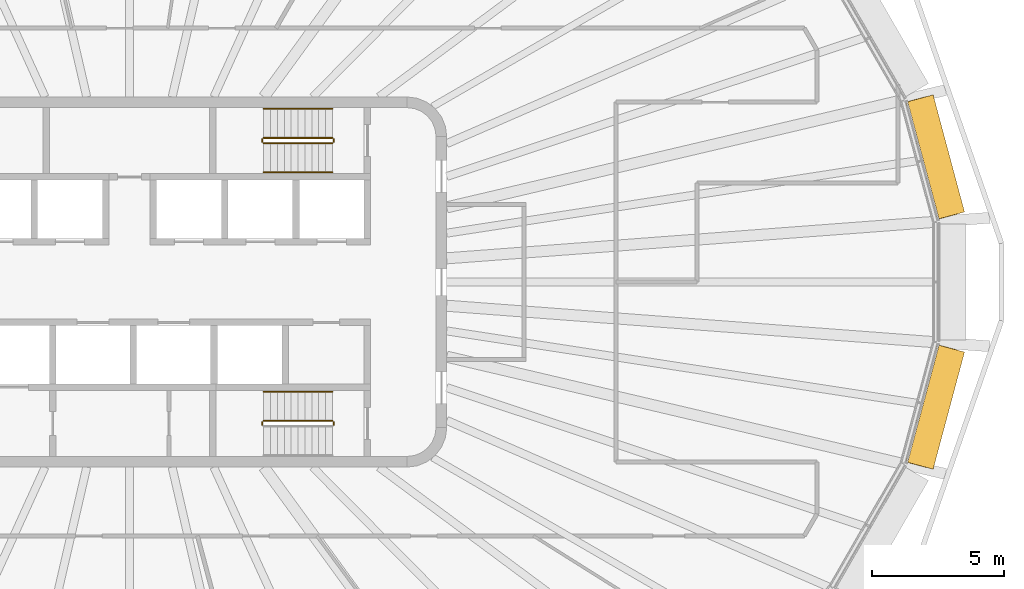
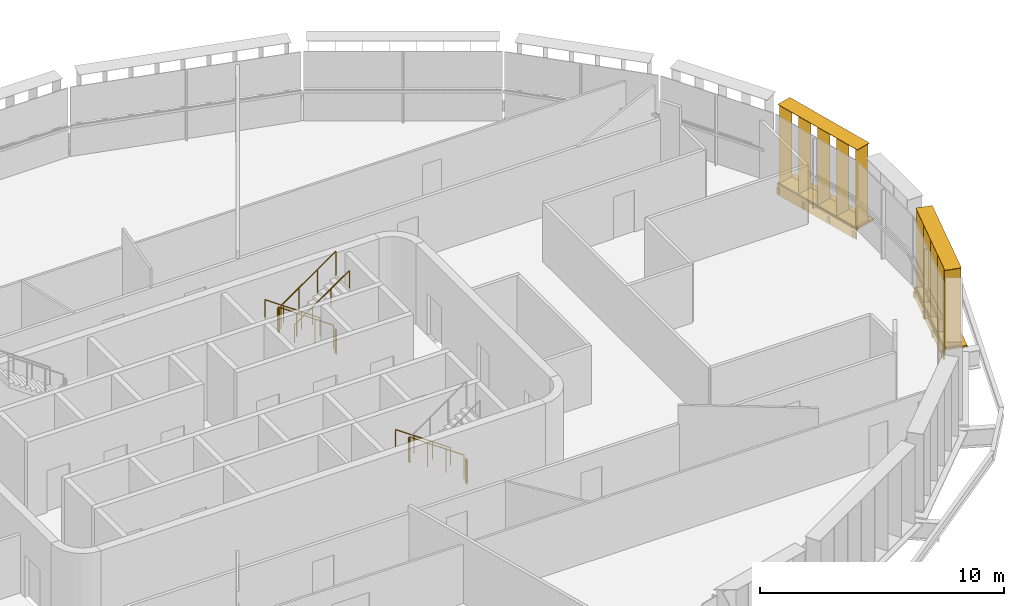
# One storey, part 18 of 20: 10 railings, 4 shading devices.
"""IFC4 building model written with IfcOpenShell, lengths in metres."""

from ifc_helpers import new_model, si_unit, direction, frame, origin, origin_2d, place, context, subcontext, project, spatial, rectangle, circle, extrude, material, type_object, element, save


model = new_model("IFC4")

# Units and contexts
model_context = context("Model", 3, precision=1e-05, world=origin(), true_north=direction((0.0, 1.0)))
body_context = subcontext(model_context, "Body", "Model", "MODEL_VIEW")
ifc_project = project(units=[si_unit("LENGTHUNIT", "METRE"), si_unit("AREAUNIT", "SQUARE_METRE"), si_unit("VOLUMEUNIT", "CUBIC_METRE"), si_unit("PLANEANGLEUNIT", "RADIAN"), si_unit("MASSUNIT", "GRAM", prefix="KILO")], contexts=[model_context])

# Site, building, storey
site_placement = place(None, origin())
site = spatial("IfcSite", under=ifc_project, at=site_placement, CompositionType="ELEMENT")
building_placement = place(site_placement, origin())
building = spatial("IfcBuilding", under=site, at=building_placement, Name="Sahrelin Media Tower", CompositionType="ELEMENT")
storey_placement = place(building_placement, frame((0.0, 0.0, 213.60009765625)))
storey = spatial("IfcBuildingStorey", under=building, at=storey_placement, Name="L45", CompositionType="ELEMENT", Elevation=213.60009765625)

# Shading devices
ifc_material_1 = material(Name="Champagne anodised aluminium 6063-T6", Category="aluminium")
shading_device_type_1 = type_object("IfcShadingDeviceType", Name="Fin cassette", PredefinedType="USERDEFINED", material=ifc_material_1)
placement_1 = place(storey_placement, frame((30.00244140625, 4.599365234375, 0.0), z_axis=(0.0, 0.0, 1.0), x_axis=(0.258807731996, -0.965928857556, 0.0)))
element("IfcShadingDevice", 1, at=placement_1, inside=storey, type_object=shading_device_type_1, Name="L45:FIN:L45-01", ObjectType="FIN", PredefinedType="USERDEFINED", context=body_context, shape_type="SweptSolid", body=[
    extrude(rectangle(XDim=4.60009765625, YDim=0.699951171875, at=origin_2d()), frame((0.0, 0.419921875, 0.0)), (0.0, 0.0, 1.0), 0.02001953125),
    extrude(rectangle(XDim=4.60009765625, YDim=0.699951171875, at=origin_2d()), frame((0.0, 0.419921875, 3.89990234375)), (0.0, 0.0, 1.0), 0.02001953125),
    extrude(rectangle(XDim=0.02001953125, YDim=0.699951171875, at=origin_2d()), frame((-2.199951171875, 0.419921875, 0.010009765625), z_axis=(0.0, 0.0, 1.0), x_axis=(1.0, 0.0, 0.0)), (0.0, 0.0, 1.0), 3.89990234375),
    extrude(rectangle(XDim=0.02001953125, YDim=0.699951171875, at=origin_2d()), frame((-1.10009765625, 0.419921875, 0.010009765625), z_axis=(0.0, 0.0, 1.0), x_axis=(1.0, 0.0, 0.0)), (0.0, 0.0, 1.0), 3.89990234375),
    extrude(rectangle(XDim=0.02001953125, YDim=0.699951171875, at=origin_2d()), frame((0.0, 0.419921875, 0.010009765625), z_axis=(0.0, 0.0, 1.0), x_axis=(1.0, 0.0, 0.0)), (0.0, 0.0, 1.0), 3.89990234375),
    extrude(rectangle(XDim=0.02001953125, YDim=0.699951171875, at=origin_2d()), frame((1.10009765625, 0.419921875, 0.010009765625), z_axis=(0.0, 0.0, 1.0), x_axis=(1.0, 0.0, 0.0)), (0.0, 0.0, 1.0), 3.89990234375),
    extrude(rectangle(XDim=0.02001953125, YDim=0.699951171875, at=origin_2d()), frame((2.199951171875, 0.419921875, 0.010009765625), z_axis=(0.0, 0.0, 1.0), x_axis=(1.0, 0.0, 0.0)), (0.0, 0.0, 1.0), 3.89990234375),
])
placement_2 = place(storey_placement, frame((30.00244140625, -4.59912109375, 0.0), z_axis=(0.0, 0.0, 1.0), x_axis=(-0.258807731996, -0.965928857556, 0.0)))
element("IfcShadingDevice", 2, at=placement_2, inside=storey, type_object=shading_device_type_1, Name="L45:FIN:L45-23", ObjectType="FIN", PredefinedType="USERDEFINED", context=body_context, shape_type="SweptSolid", body=[
    extrude(rectangle(XDim=4.60009765625, YDim=0.699951171875, at=origin_2d()), frame((0.0, 0.419921875, 0.0)), (0.0, 0.0, 1.0), 0.02001953125),
    extrude(rectangle(XDim=4.60009765625, YDim=0.699951171875, at=origin_2d()), frame((0.0, 0.419921875, 3.89990234375)), (0.0, 0.0, 1.0), 0.02001953125),
    extrude(rectangle(XDim=0.02001953125, YDim=0.699951171875, at=origin_2d()), frame((-2.199951171875, 0.419921875, 0.010009765625), z_axis=(0.0, 0.0, 1.0), x_axis=(1.0, 0.0, 0.0)), (0.0, 0.0, 1.0), 3.89990234375),
    extrude(rectangle(XDim=0.02001953125, YDim=0.699951171875, at=origin_2d()), frame((-1.10009765625, 0.419921875, 0.010009765625), z_axis=(0.0, 0.0, 1.0), x_axis=(1.0, 0.0, 0.0)), (0.0, 0.0, 1.0), 3.89990234375),
    extrude(rectangle(XDim=0.02001953125, YDim=0.699951171875, at=origin_2d()), frame((0.0, 0.419921875, 0.010009765625), z_axis=(0.0, 0.0, 1.0), x_axis=(1.0, 0.0, 0.0)), (0.0, 0.0, 1.0), 3.89990234375),
    extrude(rectangle(XDim=0.02001953125, YDim=0.699951171875, at=origin_2d()), frame((1.10009765625, 0.419921875, 0.010009765625), z_axis=(0.0, 0.0, 1.0), x_axis=(1.0, 0.0, 0.0)), (0.0, 0.0, 1.0), 3.89990234375),
    extrude(rectangle(XDim=0.02001953125, YDim=0.699951171875, at=origin_2d()), frame((2.199951171875, 0.419921875, 0.010009765625), z_axis=(0.0, 0.0, 1.0), x_axis=(1.0, 0.0, 0.0)), (0.0, 0.0, 1.0), 3.89990234375),
])

# Railings
ifc_material_2 = material(Name="Steel S355", Category="steel")
railing_type_1 = type_object("IfcRailingType", Name="Stair guard 1200", PredefinedType="GUARDRAIL", material=ifc_material_2)
railing_1_placement = place(storey_placement, frame((7.675048828125, 5.449951171875, 0.181640625)))
element("IfcRailing", 3, at=railing_1_placement, inside=storey, type_object=railing_type_1, Name="L45 ST3 stair guard 1", PredefinedType="GUARDRAIL", context=body_context, shape_type="SweptSolid", body=[
    extrude(circle(Radius=0.02392578125, at=origin_2d()), frame((0.0, 0.0, 1.17578125), z_axis=(-0.819484887739, 0.0, 0.573100792852), x_axis=(0.0, -1.0, 0.0)), (0.0, 0.0, 1.0), 3.1728515625),
    extrude(circle(Radius=0.02099609375, at=origin_2d()), origin(), (0.0, 0.0, 1.0), 1.15185546875),
    extrude(circle(Radius=0.02099609375, at=origin_2d()), frame((-0.86669921875, 0.0, 0.606201171875)), (0.0, 0.0, 1.0), 1.15185546875),
    extrude(circle(Radius=0.02099609375, at=origin_2d()), frame((-1.7333984375, 0.0, 1.212158203125)), (0.0, 0.0, 1.0), 1.15185546875),
    extrude(circle(Radius=0.02099609375, at=origin_2d()), frame((-2.60009765625, 0.0, 1.818359375)), (0.0, 0.0, 1.0), 1.15185546875),
])
railing_2_placement = place(storey_placement, frame((5.02490234375, 5.39990234375, 2.0)))
element("IfcRailing", 4, at=railing_2_placement, inside=storey, type_object=railing_type_1, Name="L45 ST3 stair guard 2", PredefinedType="GUARDRAIL", context=body_context, shape_type="SweptSolid", body=[
    extrude(circle(Radius=0.02392578125, at=origin_2d()), frame((0.0, 0.0, 1.17578125), z_axis=(0.0, -1.0, 0.0), x_axis=(1.0, 0.0, 0.0)), (0.0, 0.0, 1.0), 0.099853515625),
    extrude(circle(Radius=0.02099609375, at=origin_2d()), origin(), (0.0, 0.0, 1.0), 1.15185546875),
    extrude(circle(Radius=0.02099609375, at=origin_2d()), frame((0.0, -0.099853515625, 0.0)), (0.0, 0.0, 1.0), 1.15185546875),
])
railing_3_placement = place(storey_placement, frame((5.074951171875, 5.25, 2.181640625)))
element("IfcRailing", 5, at=railing_3_placement, inside=storey, type_object=railing_type_1, Name="L45 ST3 stair guard 3", PredefinedType="GUARDRAIL", context=body_context, shape_type="SweptSolid", body=[
    extrude(circle(Radius=0.02392578125, at=origin_2d()), frame((0.0, 0.0, 1.17578125), z_axis=(0.819484887739, 0.0, 0.573100792852), x_axis=(0.0, 1.0, 0.0)), (0.0, 0.0, 1.0), 3.1728515625),
    extrude(circle(Radius=0.02099609375, at=origin_2d()), origin(), (0.0, 0.0, 1.0), 1.15185546875),
    extrude(circle(Radius=0.02099609375, at=origin_2d()), frame((0.86669921875, 0.0, 0.606201171875)), (0.0, 0.0, 1.0), 1.15185546875),
    extrude(circle(Radius=0.02099609375, at=origin_2d()), frame((1.7333984375, 0.0, 1.212158203125)), (0.0, 0.0, 1.0), 1.15185546875),
    extrude(circle(Radius=0.02099609375, at=origin_2d()), frame((2.60009765625, 0.0, 1.818359375)), (0.0, 0.0, 1.0), 1.15185546875),
])
railing_4_placement = place(storey_placement, frame((7.72509765625, 5.39990234375, 0.0)))
element("IfcRailing", 6, at=railing_4_placement, inside=storey, type_object=railing_type_1, Name="L45 ST3 stair guard 4", PredefinedType="GUARDRAIL", context=body_context, shape_type="SweptSolid", body=[
    extrude(circle(Radius=0.02392578125, at=origin_2d()), frame((0.0, 0.0, 1.17578125), z_axis=(0.0, -1.0, 0.0), x_axis=(1.0, 0.0, 0.0)), (0.0, 0.0, 1.0), 0.099853515625),
    extrude(circle(Radius=0.02099609375, at=origin_2d()), origin(), (0.0, 0.0, 1.0), 1.15185546875),
    extrude(circle(Radius=0.02099609375, at=origin_2d()), frame((0.0, -0.099853515625, 0.0)), (0.0, 0.0, 1.0), 1.15185546875),
])
railing_5_placement = place(storey_placement, frame((7.675048828125, -5.25, 0.181640625)))
element("IfcRailing", 7, at=railing_5_placement, inside=storey, type_object=railing_type_1, Name="L45 ST2 stair guard 1", PredefinedType="GUARDRAIL", context=body_context, shape_type="SweptSolid", body=[
    extrude(circle(Radius=0.02392578125, at=origin_2d()), frame((0.0, 0.0, 1.17578125), z_axis=(-0.819484887739, 0.0, 0.573100792852), x_axis=(0.0, -1.0, 0.0)), (0.0, 0.0, 1.0), 3.1728515625),
    extrude(circle(Radius=0.02099609375, at=origin_2d()), origin(), (0.0, 0.0, 1.0), 1.15185546875),
    extrude(circle(Radius=0.02099609375, at=origin_2d()), frame((-0.86669921875, 0.0, 0.606201171875)), (0.0, 0.0, 1.0), 1.15185546875),
    extrude(circle(Radius=0.02099609375, at=origin_2d()), frame((-1.7333984375, 0.0, 1.212158203125)), (0.0, 0.0, 1.0), 1.15185546875),
    extrude(circle(Radius=0.02099609375, at=origin_2d()), frame((-2.60009765625, 0.0, 1.818359375)), (0.0, 0.0, 1.0), 1.15185546875),
])
for number, where, name in (
    (8, (5.02490234375, -5.300048828125, 2.0), "L45 ST2 stair guard 2"),
    (9, (7.72509765625, -5.300048828125, 0.0), "L45 ST2 stair guard 4"),
):
    element("IfcRailing", number, at=place(storey_placement, frame(where)), inside=storey, type_object=railing_type_1, Name=name, PredefinedType="GUARDRAIL", context=body_context, shape_type="SweptSolid", body=[
        extrude(circle(Radius=0.02392578125, at=origin_2d()), frame((0.0, 0.0, 1.17578125), z_axis=(0.0, -1.0, 0.0), x_axis=(1.0, 0.0, 0.0)), (0.0, 0.0, 1.0), 0.099853515625),
        extrude(circle(Radius=0.02099609375, at=origin_2d()), origin(), (0.0, 0.0, 1.0), 1.15185546875),
        extrude(circle(Radius=0.02099609375, at=origin_2d()), frame((0.0, -0.099853515625, 0.0)), (0.0, 0.0, 1.0), 1.15185546875),
    ])
railing_type_2 = type_object("IfcRailingType", Name="Stair handrail 900", PredefinedType="HANDRAIL", material=ifc_material_2)
railing_6_placement = place(storey_placement, frame((7.675048828125, 6.550048828125, 0.181640625)))
element("IfcRailing", 10, at=railing_6_placement, inside=storey, type_object=railing_type_2, Name="L45 ST3 stair handrail 1", PredefinedType="HANDRAIL", context=body_context, shape_type="SweptSolid", body=[
    extrude(circle(Radius=0.02392578125, at=origin_2d()), frame((0.0, 0.0, 0.8759765625), z_axis=(-0.819484887739, 0.0, 0.573100792852), x_axis=(0.0, -1.0, 0.0)), (0.0, 0.0, 1.0), 3.1728515625),
    extrude(circle(Radius=0.02099609375, at=origin_2d()), origin(), (0.0, 0.0, 1.0), 0.851806640625),
    extrude(circle(Radius=0.02099609375, at=origin_2d()), frame((-0.86669921875, 0.0, 0.606201171875)), (0.0, 0.0, 1.0), 0.851806640625),
    extrude(circle(Radius=0.02099609375, at=origin_2d()), frame((-1.7333984375, 0.0, 1.212158203125)), (0.0, 0.0, 1.0), 0.851806640625),
    extrude(circle(Radius=0.02099609375, at=origin_2d()), frame((-2.60009765625, 0.0, 1.818359375)), (0.0, 0.0, 1.0), 0.851806640625),
])
railing_7_placement = place(storey_placement, frame((5.074951171875, 4.14990234375, 2.181640625)))
element("IfcRailing", 11, at=railing_7_placement, inside=storey, type_object=railing_type_2, Name="L45 ST3 stair handrail 2", PredefinedType="HANDRAIL", context=body_context, shape_type="SweptSolid", body=[
    extrude(circle(Radius=0.02392578125, at=origin_2d()), frame((0.0, 0.0, 0.8759765625), z_axis=(0.819484887739, 0.0, 0.573100792852), x_axis=(0.0, 1.0, 0.0)), (0.0, 0.0, 1.0), 3.1728515625),
    extrude(circle(Radius=0.02099609375, at=origin_2d()), origin(), (0.0, 0.0, 1.0), 0.851806640625),
    extrude(circle(Radius=0.02099609375, at=origin_2d()), frame((0.86669921875, 0.0, 0.606201171875)), (0.0, 0.0, 1.0), 0.851806640625),
    extrude(circle(Radius=0.02099609375, at=origin_2d()), frame((1.7333984375, 0.0, 1.212158203125)), (0.0, 0.0, 1.0), 0.851806640625),
    extrude(circle(Radius=0.02099609375, at=origin_2d()), frame((2.60009765625, 0.0, 1.818359375)), (0.0, 0.0, 1.0), 0.851806640625),
])
railing_8_placement = place(storey_placement, frame((7.675048828125, -4.14990234375, 0.181640625)))
element("IfcRailing", 12, at=railing_8_placement, inside=storey, type_object=railing_type_2, Name="L45 ST2 stair handrail 1", PredefinedType="HANDRAIL", context=body_context, shape_type="SweptSolid", body=[
    extrude(circle(Radius=0.02392578125, at=origin_2d()), frame((0.0, 0.0, 0.8759765625), z_axis=(-0.819484887739, 0.0, 0.573100792852), x_axis=(0.0, -1.0, 0.0)), (0.0, 0.0, 1.0), 3.1728515625),
    extrude(circle(Radius=0.02099609375, at=origin_2d()), origin(), (0.0, 0.0, 1.0), 0.851806640625),
    extrude(circle(Radius=0.02099609375, at=origin_2d()), frame((-0.86669921875, 0.0, 0.606201171875)), (0.0, 0.0, 1.0), 0.851806640625),
    extrude(circle(Radius=0.02099609375, at=origin_2d()), frame((-1.7333984375, 0.0, 1.212158203125)), (0.0, 0.0, 1.0), 0.851806640625),
    extrude(circle(Radius=0.02099609375, at=origin_2d()), frame((-2.60009765625, 0.0, 1.818359375)), (0.0, 0.0, 1.0), 0.851806640625),
])

# Shading devices
shading_device_type_2 = type_object("IfcShadingDeviceType", Name="Sunshade band", PredefinedType="USERDEFINED", material=ifc_material_1)
element("IfcShadingDevice", 13, at=placement_1, inside=storey, type_object=shading_device_type_2, Name="L45:SUN:L45-01", ObjectType="SUNSHADE", PredefinedType="USERDEFINED", context=body_context, shape_type="SweptSolid", body=[
    extrude(rectangle(XDim=4.585693359375, YDim=0.050048828125, at=origin_2d()), frame((0.0, 0.044921875, -0.55126953125)), (0.0, 0.0, 1.0), 0.471435546875),
    extrude(rectangle(XDim=4.585693359375, YDim=1.0, at=origin_2d()), frame((0.0, 0.52001953125, -0.080078125)), (0.0, 0.0, 1.0), 0.080078125),
    extrude(rectangle(XDim=0.10009765625, YDim=0.074951171875, at=origin_2d()), frame((-2.19287109375, -0.017578125, -0.47021484375)), (0.0, 0.0, 1.0), 0.300048828125),
    extrude(rectangle(XDim=0.10009765625, YDim=0.074951171875, at=origin_2d()), frame((-0.73095703125, -0.017578125, -0.47021484375)), (0.0, 0.0, 1.0), 0.300048828125),
    extrude(rectangle(XDim=0.10009765625, YDim=0.074951171875, at=origin_2d()), frame((0.73095703125, -0.017578125, -0.47021484375)), (0.0, 0.0, 1.0), 0.300048828125),
    extrude(rectangle(XDim=0.10009765625, YDim=0.074951171875, at=origin_2d()), frame((2.19287109375, -0.017578125, -0.47021484375)), (0.0, 0.0, 1.0), 0.300048828125),
])
element("IfcShadingDevice", 14, at=placement_2, inside=storey, type_object=shading_device_type_2, Name="L45:SUN:L45-23", ObjectType="SUNSHADE", PredefinedType="USERDEFINED", context=body_context, shape_type="SweptSolid", body=[
    extrude(rectangle(XDim=4.585693359375, YDim=0.050048828125, at=origin_2d()), frame((0.0, 0.044921875, -0.55126953125)), (0.0, 0.0, 1.0), 0.471435546875),
    extrude(rectangle(XDim=4.585693359375, YDim=1.0, at=origin_2d()), frame((0.0, 0.52001953125, -0.080078125)), (0.0, 0.0, 1.0), 0.080078125),
    extrude(rectangle(XDim=0.10009765625, YDim=0.074951171875, at=origin_2d()), frame((-2.19287109375, -0.017578125, -0.47021484375)), (0.0, 0.0, 1.0), 0.300048828125),
    extrude(rectangle(XDim=0.10009765625, YDim=0.074951171875, at=origin_2d()), frame((-0.73095703125, -0.017578125, -0.47021484375)), (0.0, 0.0, 1.0), 0.300048828125),
    extrude(rectangle(XDim=0.10009765625, YDim=0.074951171875, at=origin_2d()), frame((0.73095703125, -0.017578125, -0.47021484375)), (0.0, 0.0, 1.0), 0.300048828125),
    extrude(rectangle(XDim=0.10009765625, YDim=0.074951171875, at=origin_2d()), frame((2.19287109375, -0.017578125, -0.47021484375)), (0.0, 0.0, 1.0), 0.300048828125),
])

save(model, "model.ifc")
